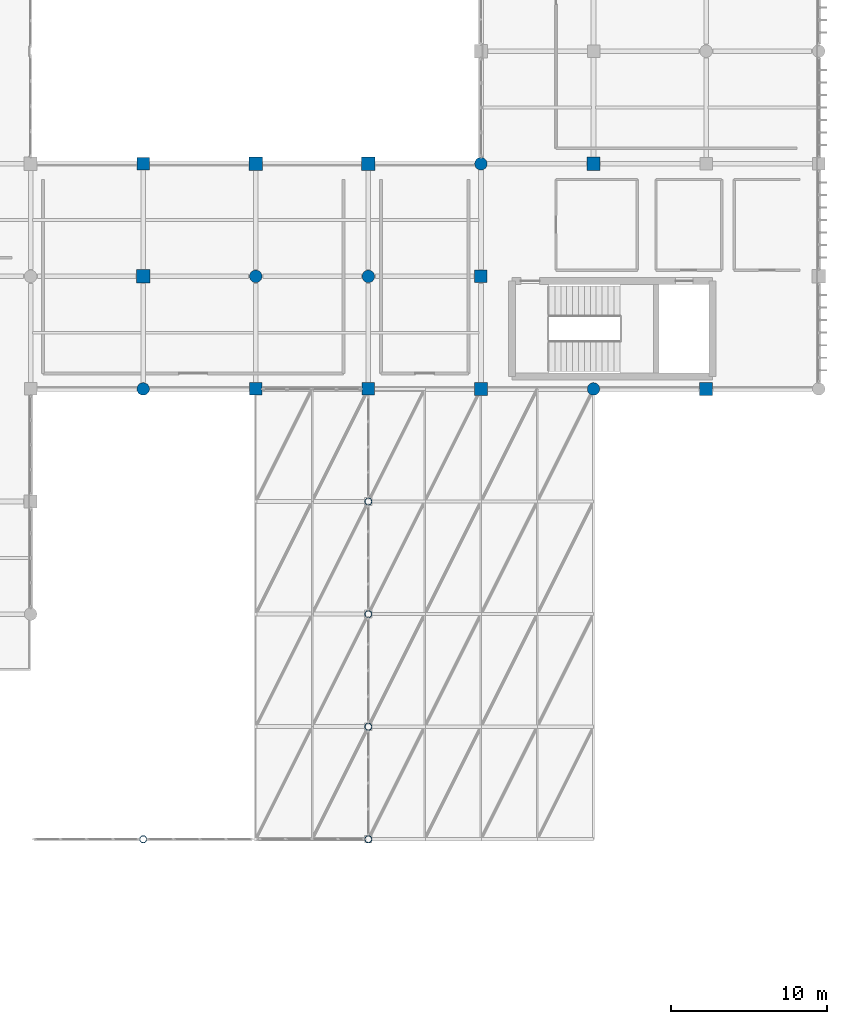
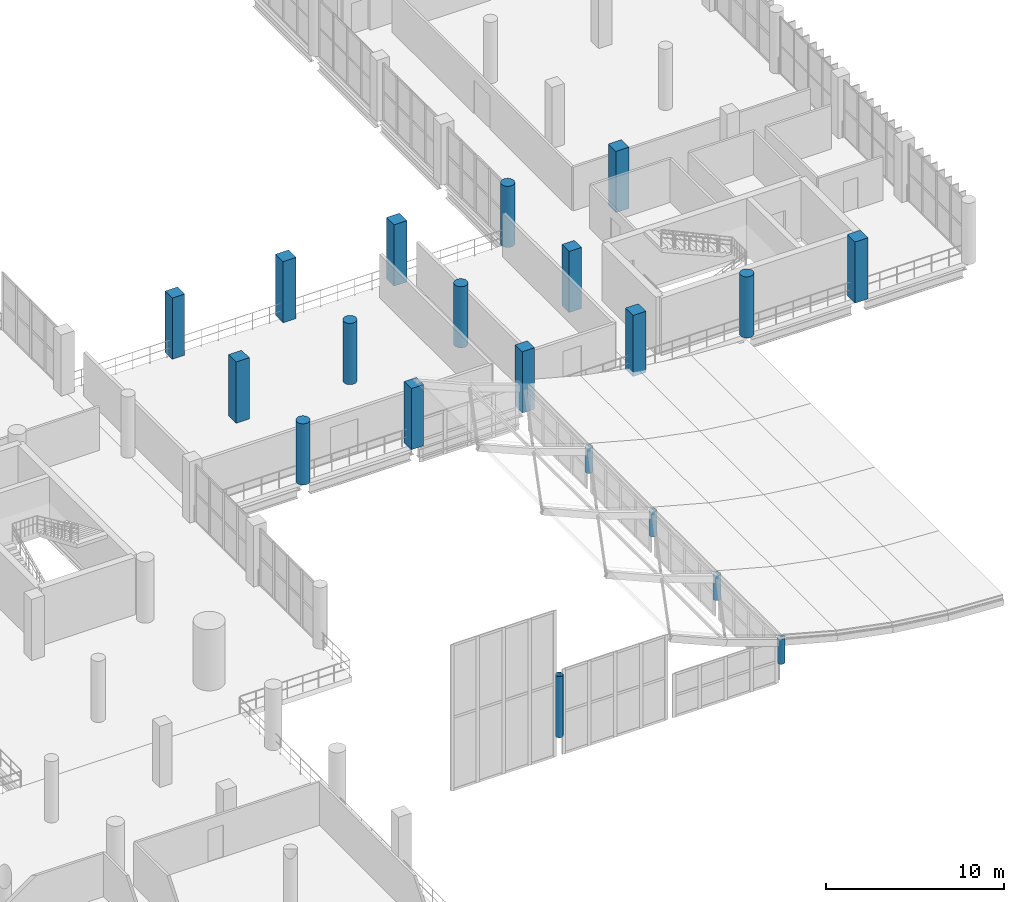
# One storey, part 3 of 153: 20 columns.
"""IFC4 building model written with IfcOpenShell, lengths in metres."""

from ifc_helpers import new_model, si_unit, direction, frame, origin, origin_2d, place, context, subcontext, project, spatial, rectangle, circle, hollow_circle, extrude, material, material_profile, profile_set, type_object, element, save


model = new_model("IFC4")

# Units and contexts
model_context = context("Model", 3, precision=1e-05, world=origin(), true_north=direction((0.0, 1.0)))
body_context = subcontext(model_context, "Body", "Model", "MODEL_VIEW")
ifc_project = project(units=[si_unit("LENGTHUNIT", "METRE"), si_unit("AREAUNIT", "SQUARE_METRE"), si_unit("VOLUMEUNIT", "CUBIC_METRE"), si_unit("PLANEANGLEUNIT", "RADIAN"), si_unit("MASSUNIT", "GRAM", prefix="KILO")], contexts=[model_context])

# Site, building, storey
site_placement = place(None, origin())
site = spatial("IfcSite", under=ifc_project, at=site_placement, CompositionType="ELEMENT")
building_placement = place(site_placement, origin())
building = spatial("IfcBuilding", under=site, at=building_placement, Name="Qandorah Velis Arena", CompositionType="ELEMENT")
storey_placement = place(building_placement, frame((0.0, 0.0, 5.39990234375)))
storey = spatial("IfcBuildingStorey", under=building, at=storey_placement, Name="L01", CompositionType="ELEMENT", Elevation=5.39990234375)

# Columns
ifc_material_1 = material(Name="Steel S355", Category="steel")
ifc_material_profile_1 = material_profile(ifc_material_1, hollow_circle(Radius=0.228515625, WallThickness=0.02001953125, at=origin_2d()), Name="CHS 457x20")
ifc_profile_set_1 = profile_set([ifc_material_profile_1], Name="Steel S355")
column_type_1 = type_object("IfcColumnType", Name="STR-COL-CHS457", PredefinedType="COLUMN", material=ifc_profile_set_1)
column_placement = place(storey_placement, frame((129.60009765625, 14.39990234375, 0.0), z_axis=(0.0, 0.0, 1.0), x_axis=(1.0, 0.0, 0.0)))
element("IfcColumn", 1, at=column_placement, inside=storey, type_object=column_type_1, Name="Canopy mid-span column L01-196", PredefinedType="COLUMN", context=body_context, shape_type="SweptSolid", body=[
    extrude(hollow_circle(Radius=0.228515625, WallThickness=0.02001953125, at=origin_2d()), origin(), (0.0, 0.0, 1.0), 4.2001953125),
])
for number, where, z_axis, x_axis, name in (
    (2, (144.0, 14.39990234375, 0.0), (0.0, 0.0, 1.0), (1.0, 0.0, 0.0), "Canopy mid-span column L01-207"),
    (3, (144.0, 21.60009765625, 0.0), (0.0, 0.0, 1.0), (1.0, 0.0, 0.0), "Canopy mid-span column L01-208"),
    (4, (144.0, 28.800048828125, 0.0), (0.0, 0.0, 1.0), (1.0, 0.0, 0.0), "Canopy mid-span column L01-209"),
    (5, (144.0, 36.0, 0.0), (0.0, 0.0, 1.0), (1.0, 0.0, 0.0), "Canopy mid-span column L01-210"),
):
    element("IfcColumn", number, at=place(storey_placement, frame(where, z_axis=z_axis, x_axis=x_axis)), inside=storey, type_object=column_type_1, Name=name, PredefinedType="COLUMN", context=body_context, shape_type="SweptSolid", body=[
        extrude(hollow_circle(Radius=0.228515625, WallThickness=0.02001953125, at=origin_2d()), origin(), (0.0, 0.0, 1.0), 1.708740234375),
    ])
ifc_material_2 = material(Name="Concrete C40/50", Category="concrete")
ifc_material_profile_2 = material_profile(ifc_material_2, rectangle(XDim=0.800048828125, YDim=0.800048828125, at=origin_2d()), Name="RC COL 800x800")
ifc_profile_set_2 = profile_set([ifc_material_profile_2], Name="Concrete C40/50")
column_type_2 = type_object("IfcColumnType", Name="STR-COL-RC800", PredefinedType="COLUMN", material=ifc_profile_set_2)
for number, where, z_axis, x_axis, name in (
    (6, (129.60009765625, 57.60009765625, 0.0), (0.0, 0.0, 1.0), (1.0, 0.0, 0.0), "Structural column L01-199"),
    (7, (136.800048828125, 43.199951171875, 0.0), (0.0, 0.0, 1.0), (1.0, 0.0, 0.0), "Structural column L01-202"),
    (8, (144.0, 43.199951171875, 0.0), (0.0, 0.0, 1.0), (1.0, 0.0, 0.0), "Structural column L01-211"),
    (9, (151.199951171875, 50.39990234375, 0.0), (0.0, 0.0, 1.0), (1.0, 0.0, 0.0), "Structural column L01-217"),
):
    element("IfcColumn", number, at=place(storey_placement, frame(where, z_axis=z_axis, x_axis=x_axis)), inside=storey, type_object=column_type_2, Name=name, PredefinedType="COLUMN", context=body_context, shape_type="SweptSolid", body=[
        extrude(rectangle(XDim=0.800048828125, YDim=0.800048828125, at=origin_2d()), origin(), (0.0, 0.0, 1.0), 4.2001953125),
    ])
ifc_material_profile_3 = material_profile(ifc_material_2, rectangle(XDim=0.85009765625, YDim=0.85009765625, at=origin_2d()), Name="RC COL 850x850")
ifc_profile_set_3 = profile_set([ifc_material_profile_3], Name="Concrete C40/50")
column_type_3 = type_object("IfcColumnType", Name="STR-COL-RC850", PredefinedType="COLUMN", material=ifc_profile_set_3)
for number, where, z_axis, x_axis, name in (
    (10, (129.60009765625, 50.39990234375, 0.0), (0.0, 0.0, 1.0), (1.0, 0.0, 0.0), "Structural column L01-198"),
    (11, (136.800048828125, 57.60009765625, 0.0), (0.0, 0.0, 1.0), (1.0, 0.0, 0.0), "Structural column L01-204"),
    (12, (144.0, 57.60009765625, 0.0), (0.0, 0.0, 1.0), (1.0, 0.0, 0.0), "Structural column L01-213"),
    (13, (151.199951171875, 43.199951171875, 0.0), (0.0, 0.0, 1.0), (1.0, 0.0, 0.0), "Structural column L01-216"),
    (14, (158.39990234375, 57.60009765625, 0.0), (0.0, 0.0, 1.0), (1.0, 0.0, 0.0), "Structural column L01-225"),
    (15, (165.60009765625, 43.199951171875, 0.0), (0.0, 0.0, 1.0), (1.0, 0.0, 0.0), "Structural column L01-231"),
):
    element("IfcColumn", number, at=place(storey_placement, frame(where, z_axis=z_axis, x_axis=x_axis)), inside=storey, type_object=column_type_3, Name=name, PredefinedType="COLUMN", context=body_context, shape_type="SweptSolid", body=[
        extrude(rectangle(XDim=0.85009765625, YDim=0.85009765625, at=origin_2d()), origin(), (0.0, 0.0, 1.0), 4.2001953125),
    ])
ifc_material_profile_4 = material_profile(ifc_material_2, circle(Radius=0.39990234375, at=origin_2d()), Name="RC D800")
ifc_profile_set_4 = profile_set([ifc_material_profile_4], Name="Concrete C40/50")
column_type_4 = type_object("IfcColumnType", Name="STR-COL-RCD800", PredefinedType="COLUMN", material=ifc_profile_set_4)
for number, where, z_axis, x_axis, name in (
    (16, (129.60009765625, 43.199951171875, 0.0), (0.0, 0.0, 1.0), (1.0, 0.0, 0.0), "Structural column L01-197"),
    (17, (136.800048828125, 50.39990234375, 0.0), (0.0, 0.0, 1.0), (1.0, 0.0, 0.0), "Structural column L01-203"),
    (18, (144.0, 50.39990234375, 0.0), (0.0, 0.0, 1.0), (1.0, 0.0, 0.0), "Structural column L01-212"),
    (19, (151.199951171875, 57.60009765625, 0.0), (0.0, 0.0, 1.0), (1.0, 0.0, 0.0), "Structural column L01-218"),
    (20, (158.39990234375, 43.199951171875, 0.0), (0.0, 0.0, 1.0), (1.0, 0.0, 0.0), "Structural column L01-224"),
):
    element("IfcColumn", number, at=place(storey_placement, frame(where, z_axis=z_axis, x_axis=x_axis)), inside=storey, type_object=column_type_4, Name=name, PredefinedType="COLUMN", context=body_context, shape_type="SweptSolid", body=[
        extrude(circle(Radius=0.39990234375, at=origin_2d()), origin(), (0.0, 0.0, 1.0), 4.2001953125),
    ])

save(model, "model.ifc")
